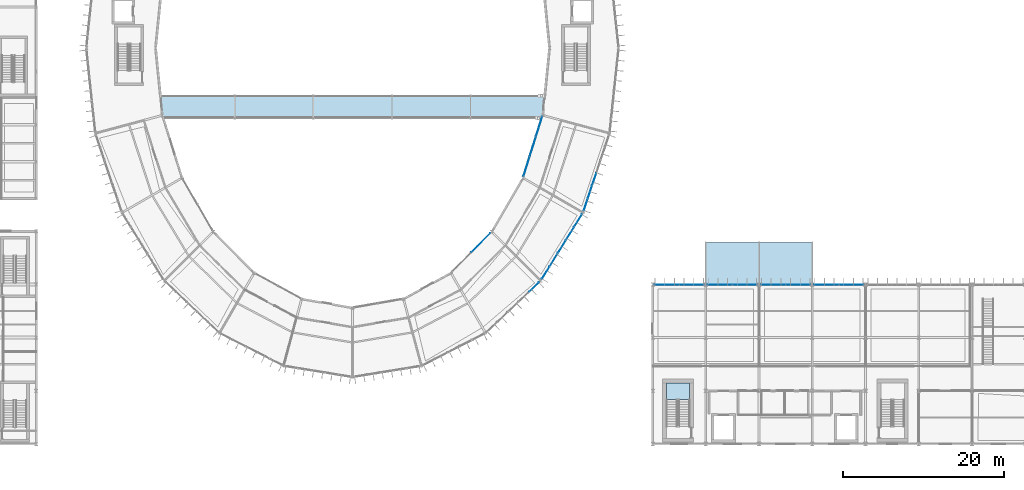
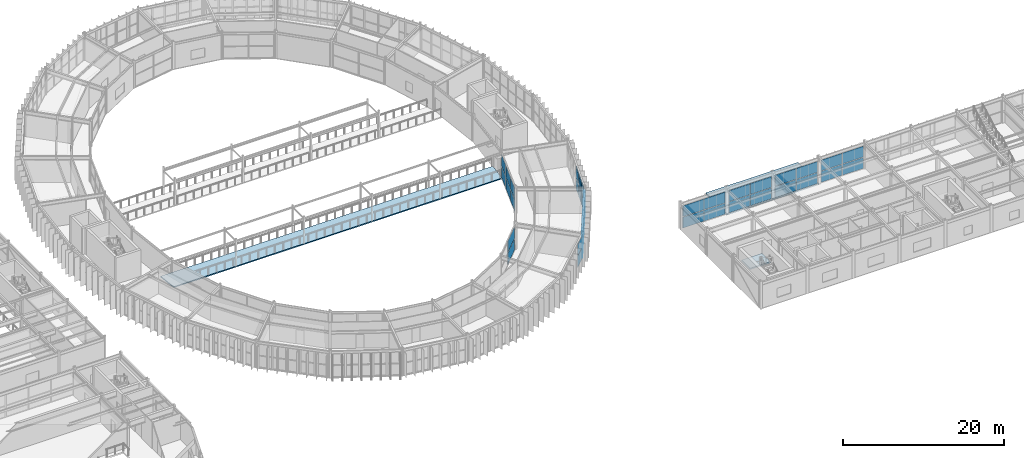
# One storey, part 102 of 148: 42 plates, 3 slabs, 10 elements without a shape of their own.
"""IFC4 building model written with IfcOpenShell, lengths in metres."""

import ifcopenshell
import ifcopenshell.guid

model = None  # the IFC model being written
_history = None  # IfcOwnerHistory: only IFC2X3 demands one
_inside = {}  # id of a spatial element -> (the spatial element, [elements in it])
_under = {}  # id of a project, library or spatial element -> (it, [spatial elements below it])
_declared = {}  # id of a project -> (the project, [libraries it declares])
_typed = {}  # id of a type object -> (the type object, [elements of that type])
_made_of = {}  # id of a material, layer set ... -> (it, [elements and type objects made of it])


def new_model(schema):
    """Start an empty IFC model of exactly this schema.

    Asked for "IFC4X3", IfcOpenShell would pick the latest addendum, in which some entities
    have other attributes; the version numbers below select the first issue.
    IFC2X3 requires an IfcOwnerHistory on every rooted entity: one is made here for all.
    """
    global model, _history
    if schema == "IFC4X3":
        model = ifcopenshell.file(schema_version=(4, 3, 0, 0))
    else:
        model = ifcopenshell.file(schema=schema)
    _inside.clear()
    _under.clear()
    _declared.clear()
    _typed.clear()
    _made_of.clear()
    _history = None
    if model.schema == "IFC2X3":
        org = make("IfcOrganization", Name="unknown")
        user = make(
            "IfcPersonAndOrganization",
            ThePerson=make("IfcPerson", FamilyName="unknown"),
            TheOrganization=org,
        )
        app = make(
            "IfcApplication",
            ApplicationDeveloper=org,
            Version="unknown",
            ApplicationFullName="unknown",
            ApplicationIdentifier="unknown",
        )
        _history = make(
            "IfcOwnerHistory",
            OwningUser=user,
            OwningApplication=app,
            ChangeAction="ADDED",
            CreationDate=0,
        )
    return model


def make(cls, **values):
    """One entity of the class cls with the attributes given. An attribute that is None is left unset."""
    return model.create_entity(
        cls, **{name: value for name, value in values.items() if value is not None}
    )


def rooted(cls, **values):
    """An entity with a GlobalId (a new one), such as an element, a storey or a relation."""
    return make(cls, GlobalId=ifcopenshell.guid.new(), OwnerHistory=_history, **values)


def si_unit(unit_type, name, prefix=None):
    """IfcSIUnit, for example si_unit("LENGTHUNIT", "METRE", prefix="MILLI")."""
    return make("IfcSIUnit", UnitType=unit_type, Prefix=prefix, Name=name)


def assignment(units):
    """IfcUnitAssignment: the units of a project."""
    return None if units is None else make("IfcUnitAssignment", Units=units)


def point(xyz):
    """IfcCartesianPoint."""
    return None if xyz is None else make("IfcCartesianPoint", Coordinates=xyz)


def direction(xyz):
    """IfcDirection."""
    return None if xyz is None else make("IfcDirection", DirectionRatios=xyz)


def frame(location, z_axis=None, x_axis=None):
    """IfcAxis2Placement3D, a coordinate frame: its origin and axes. An axis left out is left unset."""
    return make(
        "IfcAxis2Placement3D",
        Location=point(location),
        Axis=direction(z_axis),
        RefDirection=direction(x_axis),
    )


def frame_2d(location, x_axis=None):
    """IfcAxis2Placement2D, a coordinate frame in the plane: its origin and x axis."""
    return make(
        "IfcAxis2Placement2D", Location=point(location), RefDirection=direction(x_axis)
    )


def origin():
    """The frame at (0, 0, 0) with its axes left unset."""
    return frame((0.0, 0.0, 0.0))


def origin_2d():
    """The frame at (0, 0) in the plane with its x axis left unset."""
    return frame_2d((0.0, 0.0))


def place(relative_to, where):
    """IfcLocalPlacement: puts the frame where relative to a parent placement (None: the world)."""
    return make(
        "IfcLocalPlacement", PlacementRelTo=relative_to, RelativePlacement=where
    )


def context(
    kind, dimensions, precision=None, world=None, true_north=None, identifier=None
):
    """IfcGeometricRepresentationContext, for example the 3D "Model" context."""
    return make(
        "IfcGeometricRepresentationContext",
        ContextIdentifier=identifier,
        ContextType=kind,
        CoordinateSpaceDimension=dimensions,
        Precision=precision,
        WorldCoordinateSystem=world,
        TrueNorth=true_north,
    )


def subcontext(parent, identifier, kind, view, scale=None):
    """IfcGeometricRepresentationSubContext, for example "Body" below "Model"."""
    return make(
        "IfcGeometricRepresentationSubContext",
        ContextIdentifier=identifier,
        ContextType=kind,
        ParentContext=parent,
        TargetScale=scale,
        TargetView=view,
    )


def project(units=None, contexts=None):
    """IfcProject with its units and contexts."""
    return rooted(
        "IfcProject",
        Name="project",
        RepresentationContexts=contexts,
        UnitsInContext=assignment(units),
    )


def spatial(cls, under=None, at=None, **own):
    """A site, building, storey or space (cls), placed at a placement, below another one or the project."""
    s = rooted(cls, ObjectPlacement=at, **own)
    if under is not None:
        _under.setdefault(under.id(), (under, []))[1].append(s)
    return s


def polyline(points):
    """IfcPolyline through the points."""
    return make("IfcPolyline", Points=[point(p) for p in points])


def profile(cls, at=None, kind="AREA", **sizes):
    """A parametric profile (cls). Its sizes go by their IFC names, for example OverallWidth=200.0."""
    return make(cls, ProfileType=kind, Position=at, **sizes)


def rectangle(**sizes):
    """IfcRectangleProfileDef."""
    return profile("IfcRectangleProfileDef", **sizes)


def outline(outer, holes=None, kind="AREA"):
    """IfcArbitraryClosedProfileDef: a profile drawn as a closed curve; with holes, ...WithVoids."""
    if holes is None:
        return make("IfcArbitraryClosedProfileDef", ProfileType=kind, OuterCurve=outer)
    return make(
        "IfcArbitraryProfileDefWithVoids",
        ProfileType=kind,
        OuterCurve=outer,
        InnerCurves=holes,
    )


def extrude(swept, where, along, depth):
    """IfcExtrudedAreaSolid: the profile swept, set in the frame where, extruded along a direction by depth."""
    return make(
        "IfcExtrudedAreaSolid",
        SweptArea=swept,
        Position=where,
        ExtrudedDirection=direction(along),
        Depth=depth,
    )


def shape(context_of_items, identifier, shape_type, items):
    """IfcShapeRepresentation: the items that make up one representation, for example the "Body"."""
    return make(
        "IfcShapeRepresentation",
        ContextOfItems=context_of_items,
        RepresentationIdentifier=identifier,
        RepresentationType=shape_type,
        Items=items,
    )


def material(Name=None, Category=None):
    """IfcMaterial."""
    return make("IfcMaterial", Name=Name, Category=Category)


def layer(
    of_material, thickness, ventilated=None, Name=None, Category=None, Priority=None
):
    """IfcMaterialLayer: one layer of a wall or slab, of a material (None: an air gap)."""
    return make(
        "IfcMaterialLayer",
        Material=of_material,
        LayerThickness=thickness,
        IsVentilated=ventilated,
        Name=Name,
        Category=Category,
        Priority=Priority,
    )


def layer_set(layers, Name=None):
    """IfcMaterialLayerSet."""
    return make("IfcMaterialLayerSet", MaterialLayers=layers, LayerSetName=Name)


def made_of(thing, what):
    """Note that an element or type object is made of a material, layer set ...; save() writes the relation."""
    if what is not None:
        _made_of.setdefault(what.id(), (what, []))[1].append(thing)
    return thing


def type_object(cls, material=None, **own):
    """A type object (cls), such as IfcWallType, which elements share."""
    return made_of(rooted(cls, **own), material)


def element(
    cls,
    number,
    at=None,
    inside=None,
    cuts=None,
    type_object=None,
    material=None,
    context=None,
    identifier="Body",
    shape_type=None,
    held_by="IfcProductDefinitionShape",
    body=None,
    shapes=None,
    **own,
):
    """One element of the class cls, such as IfcWall. Its Tag is "e" and its number.

    at: its placement. inside: the storey or other place that contains it. cuts: it is an
    opening in that element (IfcRelVoidsElement). A single representation is given by context,
    identifier, shape_type and body (its items); several are given by shapes. held_by: the class
    of the entity that holds the representations. save() writes the other relations.
    """
    e = rooted(cls, Tag="e%d" % number, ObjectPlacement=at, **own)
    if body is not None:
        shapes = [shape(context, identifier, shape_type, body)]
    if shapes is not None:
        e.Representation = make(held_by, Representations=shapes)
    if inside is not None:
        _inside.setdefault(inside.id(), (inside, []))[1].append(e)
    if cuts is not None:
        rooted(
            "IfcRelVoidsElement", RelatingBuildingElement=cuts, RelatedOpeningElement=e
        )
    if type_object is not None:
        _typed.setdefault(type_object.id(), (type_object, []))[1].append(e)
    return made_of(e, material)


def aggregate(whole, parts):
    """IfcRelAggregates: a whole, such as a stair, and the parts it consists of."""
    return rooted("IfcRelAggregates", RelatingObject=whole, RelatedObjects=parts)


def save(model, path):
    """Write the relations noted so far, then the file.

    IfcRelAggregates (storeys below a building ...), IfcRelContainedInSpatialStructure (elements
    in a storey), IfcRelDefinesByType, IfcRelAssociatesMaterial and IfcRelDeclares: one each for
    every whole, place, type object, material and project.
    """
    for whole, parts in _under.values():
        aggregate(whole, parts)
    for where, things in _inside.values():
        rooted(
            "IfcRelContainedInSpatialStructure",
            RelatedElements=things,
            RelatingStructure=where,
        )
    for kind, things in _typed.values():
        rooted("IfcRelDefinesByType", RelatedObjects=things, RelatingType=kind)
    for what, things in _made_of.values():
        rooted("IfcRelAssociatesMaterial", RelatedObjects=things, RelatingMaterial=what)
    for by, libraries in _declared.values():
        rooted("IfcRelDeclares", RelatingContext=by, RelatedDefinitions=libraries)
    model.write(path)


model = new_model("IFC4")

# Units and contexts
model_context = context("Model", 3, precision=1e-05, world=origin(), true_north=direction((0.0, 1.0)))
body_context = subcontext(model_context, "Body", "Model", "MODEL_VIEW")
ifc_project = project(units=[si_unit("LENGTHUNIT", "METRE"), si_unit("AREAUNIT", "SQUARE_METRE"), si_unit("VOLUMEUNIT", "CUBIC_METRE"), si_unit("PLANEANGLEUNIT", "RADIAN"), si_unit("MASSUNIT", "GRAM", prefix="KILO")], contexts=[model_context])

# Site, building, storey
site_placement = place(None, origin())
site = spatial("IfcSite", under=ifc_project, at=site_placement, CompositionType="ELEMENT")
building_placement = place(site_placement, origin())
building = spatial("IfcBuilding", under=site, at=building_placement, Name="Karori Crest Natural Sciences Institute", CompositionType="ELEMENT")
storey_placement = place(building_placement, frame((0.0, 0.0, 4.89990234375)))
storey = spatial("IfcBuildingStorey", under=building, at=storey_placement, Name="L01", CompositionType="ELEMENT", Elevation=4.89990234375)

# Curtain wall, plates
ifc_material_1 = material(Name="Anodised architectural aluminium 6063-T6", Category="aluminium")
curtain_wall_type_1 = type_object("IfcCurtainWallType", Name="CWT-11", PredefinedType="NOTDEFINED", material=ifc_material_1)
curtain_wall_1_placement = place(storey_placement, origin())
curtain_wall_1 = element("IfcCurtainWall", 1, at=curtain_wall_1_placement, inside=storey, type_object=curtain_wall_type_1, Name="Curtain wall CW-0060", PredefinedType="NOTDEFINED")
ifc_material_2 = material(Name="Double low-E laminated glass", Category="glass")
ifc_layer_1 = layer(ifc_material_2, 0.02392578125, Name="Double low-E laminated glass")
ifc_layer_set_1 = layer_set([ifc_layer_1], Name="Double low-E laminated glass")
plate_type_1 = type_object("IfcPlateType", Name="CWP-01", PredefinedType="CURTAIN_PANEL", material=ifc_layer_set_1)
plate_1_placement = place(storey_placement, frame((82.2880859375, 25.748779296875, 0.06005859375), z_axis=(0.0, 0.0, 1.0), x_axis=(0.70265631089, 0.71152941525, 0.0)))
plate_1 = element("IfcPlate", 2, at=plate_1_placement, type_object=plate_type_1, Name="CW-0060 panel 2.1", PredefinedType="CURTAIN_PANEL", context=body_context, shape_type="SweptSolid", body=[
    extrude(rectangle(XDim=3.322998046875, YDim=0.02392578125, at=origin_2d()), origin(), (0.0, 0.0, 1.0), 1.735107421875),
])
plate_2_placement = place(storey_placement, frame((82.2880859375, 25.748779296875, 1.85498046875), z_axis=(0.0, 0.0, 1.0), x_axis=(0.70265631089, 0.71152941525, 0.0)))
plate_2 = element("IfcPlate", 3, at=plate_2_placement, type_object=plate_type_1, Name="CW-0060 panel 2.2", PredefinedType="CURTAIN_PANEL", context=body_context, shape_type="SweptSolid", body=[
    extrude(rectangle(XDim=3.322998046875, YDim=0.02392578125, at=origin_2d()), origin(), (0.0, 0.0, 1.0), 1.735107421875),
])
aggregate(curtain_wall_1, [plate_1, plate_2])

curtain_wall_type_2 = type_object("IfcCurtainWallType", Name="CWT-02", PredefinedType="NOTDEFINED", material=ifc_material_1)
curtain_wall_2_placement = place(storey_placement, origin())
curtain_wall_2 = element("IfcCurtainWall", 4, at=curtain_wall_2_placement, inside=storey, type_object=curtain_wall_type_2, Name="Curtain wall CW-0061", PredefinedType="NOTDEFINED")
plate_3_placement = place(storey_placement, frame((94.37109375, 28.520751953125, 0.06005859375), z_axis=(0.0, 0.0, 1.0), x_axis=(-0.527327518853, -0.849662102168, 0.0)))
plate_3 = element("IfcPlate", 5, at=plate_3_placement, type_object=plate_type_1, Name="CW-0061 panel 1.1", PredefinedType="CURTAIN_PANEL", context=body_context, shape_type="SweptSolid", body=[
    extrude(rectangle(XDim=1.80322265625, YDim=0.02392578125, at=origin_2d()), origin(), (0.0, 0.0, 1.0), 1.722412109375),
])
plate_4_placement = place(storey_placement, frame((94.37109375, 28.520751953125, 1.8427734375), z_axis=(0.0, 0.0, 1.0), x_axis=(-0.527327518853, -0.849662102168, 0.0)))
plate_4 = element("IfcPlate", 6, at=plate_4_placement, type_object=plate_type_1, Name="CW-0061 panel 1.2", PredefinedType="CURTAIN_PANEL", context=body_context, shape_type="SweptSolid", body=[
    extrude(rectangle(XDim=1.80322265625, YDim=0.02392578125, at=origin_2d()), origin(), (0.0, 0.0, 1.0), 1.722412109375),
])
plate_5_placement = place(storey_placement, frame((93.370849609375, 26.908935546875, 0.06005859375), z_axis=(0.0, 0.0, 1.0), x_axis=(-0.527327518853, -0.849662102168, 0.0)))
plate_5 = element("IfcPlate", 7, at=plate_5_placement, type_object=plate_type_1, Name="CW-0061 panel 2.1", PredefinedType="CURTAIN_PANEL", context=body_context, shape_type="SweptSolid", body=[
    extrude(rectangle(XDim=1.8408203125, YDim=0.02392578125, at=origin_2d()), origin(), (0.0, 0.0, 1.0), 1.722412109375),
])
plate_6_placement = place(storey_placement, frame((93.370849609375, 26.908935546875, 1.8427734375), z_axis=(0.0, 0.0, 1.0), x_axis=(-0.527327518853, -0.849662102168, 0.0)))
plate_6 = element("IfcPlate", 8, at=plate_6_placement, type_object=plate_type_1, Name="CW-0061 panel 2.2", PredefinedType="CURTAIN_PANEL", context=body_context, shape_type="SweptSolid", body=[
    extrude(rectangle(XDim=1.8408203125, YDim=0.02392578125, at=origin_2d()), origin(), (0.0, 0.0, 1.0), 1.722412109375),
])
plate_7_placement = place(storey_placement, frame((92.360595703125, 25.28125, 0.06005859375), z_axis=(0.0, 0.0, 1.0), x_axis=(-0.527327518853, -0.849662102168, 0.0)))
plate_7 = element("IfcPlate", 9, at=plate_7_placement, type_object=plate_type_1, Name="CW-0061 panel 3.1", PredefinedType="CURTAIN_PANEL", context=body_context, shape_type="SweptSolid", body=[
    extrude(rectangle(XDim=1.8408203125, YDim=0.02392578125, at=origin_2d()), origin(), (0.0, 0.0, 1.0), 1.722412109375),
])
plate_8_placement = place(storey_placement, frame((92.360595703125, 25.28125, 1.8427734375), z_axis=(0.0, 0.0, 1.0), x_axis=(-0.527327518853, -0.849662102168, 0.0)))
plate_8 = element("IfcPlate", 10, at=plate_8_placement, type_object=plate_type_1, Name="CW-0061 panel 3.2", PredefinedType="CURTAIN_PANEL", context=body_context, shape_type="SweptSolid", body=[
    extrude(rectangle(XDim=1.8408203125, YDim=0.02392578125, at=origin_2d()), origin(), (0.0, 0.0, 1.0), 1.722412109375),
])
plate_9_placement = place(storey_placement, frame((91.350341796875, 23.6533203125, 0.06005859375), z_axis=(0.0, 0.0, 1.0), x_axis=(-0.527327518853, -0.849662102168, 0.0)))
plate_9 = element("IfcPlate", 11, at=plate_9_placement, type_object=plate_type_1, Name="CW-0061 panel 4.1", PredefinedType="CURTAIN_PANEL", context=body_context, shape_type="SweptSolid", body=[
    extrude(rectangle(XDim=1.8408203125, YDim=0.02392578125, at=origin_2d()), origin(), (0.0, 0.0, 1.0), 1.722412109375),
])
plate_10_placement = place(storey_placement, frame((91.350341796875, 23.6533203125, 1.8427734375), z_axis=(0.0, 0.0, 1.0), x_axis=(-0.527327518853, -0.849662102168, 0.0)))
plate_10 = element("IfcPlate", 12, at=plate_10_placement, type_object=plate_type_1, Name="CW-0061 panel 4.2", PredefinedType="CURTAIN_PANEL", context=body_context, shape_type="SweptSolid", body=[
    extrude(rectangle(XDim=1.8408203125, YDim=0.02392578125, at=origin_2d()), origin(), (0.0, 0.0, 1.0), 1.722412109375),
])
plate_11_placement = place(storey_placement, frame((90.349853515625, 22.04150390625, 0.06005859375), z_axis=(0.0, 0.0, 1.0), x_axis=(-0.527327518853, -0.849662102168, 0.0)))
plate_11 = element("IfcPlate", 13, at=plate_11_placement, type_object=plate_type_1, Name="CW-0061 panel 5.1", PredefinedType="CURTAIN_PANEL", context=body_context, shape_type="SweptSolid", body=[
    extrude(rectangle(XDim=1.80322265625, YDim=0.02392578125, at=origin_2d()), origin(), (0.0, 0.0, 1.0), 1.722412109375),
])
plate_12_placement = place(storey_placement, frame((90.349853515625, 22.04150390625, 1.8427734375), z_axis=(0.0, 0.0, 1.0), x_axis=(-0.527327518853, -0.849662102168, 0.0)))
plate_12 = element("IfcPlate", 14, at=plate_12_placement, type_object=plate_type_1, Name="CW-0061 panel 5.2", PredefinedType="CURTAIN_PANEL", context=body_context, shape_type="SweptSolid", body=[
    extrude(rectangle(XDim=1.80322265625, YDim=0.02392578125, at=origin_2d()), origin(), (0.0, 0.0, 1.0), 1.722412109375),
])
aggregate(curtain_wall_2, [plate_3, plate_4, plate_5, plate_6, plate_7, plate_8, plate_9, plate_10, plate_11, plate_12])

curtain_wall_type_3 = type_object("IfcCurtainWallType", Name="CWT-13", PredefinedType="NOTDEFINED", material=ifc_material_1)
curtain_wall_3_placement = place(storey_placement, origin())
curtain_wall_3 = element("IfcCurtainWall", 15, at=curtain_wall_3_placement, inside=storey, type_object=curtain_wall_type_3, Name="Curtain wall CW-0063", PredefinedType="NOTDEFINED")
plate_13_placement = place(storey_placement, frame((87.97509765625, 35.215087890625, 0.06005859375), z_axis=(0.0, 0.0, 1.0), x_axis=(0.2994765864, 0.954103649609, 0.0)))
plate_13 = element("IfcPlate", 16, at=plate_13_placement, type_object=plate_type_1, Name="CW-0063 panel 1.1", PredefinedType="CURTAIN_PANEL", context=body_context, shape_type="SweptSolid", body=[
    extrude(rectangle(XDim=2.517822265625, YDim=0.02392578125, at=origin_2d()), origin(), (0.0, 0.0, 1.0), 1.735107421875),
])
plate_14_placement = place(storey_placement, frame((87.97509765625, 35.215087890625, 1.85498046875), z_axis=(0.0, 0.0, 1.0), x_axis=(0.2994765864, 0.954103649609, 0.0)))
plate_14 = element("IfcPlate", 17, at=plate_14_placement, type_object=plate_type_1, Name="CW-0063 panel 1.2", PredefinedType="CURTAIN_PANEL", context=body_context, shape_type="SweptSolid", body=[
    extrude(rectangle(XDim=2.517822265625, YDim=0.02392578125, at=origin_2d()), origin(), (0.0, 0.0, 1.0), 1.735107421875),
])
plate_15_placement = place(storey_placement, frame((88.75341796875, 37.69482421875, 0.06005859375), z_axis=(0.0, 0.0, 1.0), x_axis=(0.2994765864, 0.954103649609, 0.0)))
plate_15 = element("IfcPlate", 18, at=plate_15_placement, type_object=plate_type_1, Name="CW-0063 panel 2.1", PredefinedType="CURTAIN_PANEL", context=body_context, shape_type="SweptSolid", body=[
    extrude(rectangle(XDim=2.55029296875, YDim=0.02392578125, at=origin_2d()), origin(), (0.0, 0.0, 1.0), 1.735107421875),
])
plate_16_placement = place(storey_placement, frame((88.75341796875, 37.69482421875, 1.85498046875), z_axis=(0.0, 0.0, 1.0), x_axis=(0.2994765864, 0.954103649609, 0.0)))
plate_16 = element("IfcPlate", 19, at=plate_16_placement, type_object=plate_type_1, Name="CW-0063 panel 2.2", PredefinedType="CURTAIN_PANEL", context=body_context, shape_type="SweptSolid", body=[
    extrude(rectangle(XDim=2.55029296875, YDim=0.02392578125, at=origin_2d()), origin(), (0.0, 0.0, 1.0), 1.735107421875),
])
plate_17_placement = place(storey_placement, frame((89.53173828125, 40.174560546875, 0.06005859375), z_axis=(0.0, 0.0, 1.0), x_axis=(0.2994765864, 0.954103649609, 0.0)))
plate_17 = element("IfcPlate", 20, at=plate_17_placement, type_object=plate_type_1, Name="CW-0063 panel 3.1", PredefinedType="CURTAIN_PANEL", context=body_context, shape_type="SweptSolid", body=[
    extrude(rectangle(XDim=2.517822265625, YDim=0.02392578125, at=origin_2d()), origin(), (0.0, 0.0, 1.0), 1.735107421875),
])
plate_18_placement = place(storey_placement, frame((89.53173828125, 40.174560546875, 1.85498046875), z_axis=(0.0, 0.0, 1.0), x_axis=(0.2994765864, 0.954103649609, 0.0)))
plate_18 = element("IfcPlate", 21, at=plate_18_placement, type_object=plate_type_1, Name="CW-0063 panel 3.2", PredefinedType="CURTAIN_PANEL", context=body_context, shape_type="SweptSolid", body=[
    extrude(rectangle(XDim=2.517822265625, YDim=0.02392578125, at=origin_2d()), origin(), (0.0, 0.0, 1.0), 1.735107421875),
])
aggregate(curtain_wall_3, [plate_13, plate_14, plate_15, plate_16, plate_17, plate_18])

curtain_wall_type_4 = type_object("IfcCurtainWallType", Name="CWT-20", PredefinedType="NOTDEFINED", material=ifc_material_1)
curtain_wall_4_placement = place(storey_placement, origin())
curtain_wall_4 = element("IfcCurtainWall", 22, at=curtain_wall_4_placement, inside=storey, type_object=curtain_wall_type_4, Name="Curtain wall CW-0304", PredefinedType="NOTDEFINED")
plate_19_placement = place(storey_placement, frame((105.365234375, 20.5400390625, 0.06005859375), z_axis=(0.0, 0.0, 1.0), x_axis=(1.0, 0.0, 0.0)))
plate_19 = element("IfcPlate", 23, at=plate_19_placement, type_object=plate_type_1, Name="CW-0304 panel 1.1", PredefinedType="CURTAIN_PANEL", context=body_context, shape_type="SweptSolid", body=[
    extrude(rectangle(XDim=3.00439453125, YDim=0.02392578125, at=origin_2d()), origin(), (0.0, 0.0, 1.0), 1.66259765625),
])
plate_20_placement = place(storey_placement, frame((105.365234375, 20.5400390625, 1.782470703125), z_axis=(0.0, 0.0, 1.0), x_axis=(1.0, 0.0, 0.0)))
plate_20 = element("IfcPlate", 24, at=plate_20_placement, type_object=plate_type_1, Name="CW-0304 panel 1.2", PredefinedType="CURTAIN_PANEL", context=body_context, shape_type="SweptSolid", body=[
    extrude(rectangle(XDim=3.00439453125, YDim=0.02392578125, at=origin_2d()), origin(), (0.0, 0.0, 1.0), 1.66259765625),
])
plate_21_placement = place(storey_placement, frame((108.434814453125, 20.5400390625, 0.06005859375), z_axis=(0.0, 0.0, 1.0), x_axis=(1.0, 0.0, 0.0)))
plate_21 = element("IfcPlate", 25, at=plate_21_placement, type_object=plate_type_1, Name="CW-0304 panel 2.1", PredefinedType="CURTAIN_PANEL", context=body_context, shape_type="SweptSolid", body=[
    extrude(rectangle(XDim=3.00439453125, YDim=0.02392578125, at=origin_2d()), origin(), (0.0, 0.0, 1.0), 1.66259765625),
])
plate_22_placement = place(storey_placement, frame((108.434814453125, 20.5400390625, 1.782470703125), z_axis=(0.0, 0.0, 1.0), x_axis=(1.0, 0.0, 0.0)))
plate_22 = element("IfcPlate", 26, at=plate_22_placement, type_object=plate_type_1, Name="CW-0304 panel 2.2", PredefinedType="CURTAIN_PANEL", context=body_context, shape_type="SweptSolid", body=[
    extrude(rectangle(XDim=3.00439453125, YDim=0.02392578125, at=origin_2d()), origin(), (0.0, 0.0, 1.0), 1.66259765625),
])
aggregate(curtain_wall_4, [plate_19, plate_20, plate_21, plate_22])

curtain_wall_5_placement = place(storey_placement, origin())
curtain_wall_5 = element("IfcCurtainWall", 27, at=curtain_wall_5_placement, inside=storey, type_object=curtain_wall_type_4, Name="Curtain wall CW-0305", PredefinedType="NOTDEFINED")
plate_23_placement = place(storey_placement, frame((111.96533203125, 20.5400390625, 0.06005859375), z_axis=(0.0, 0.0, 1.0), x_axis=(1.0, 0.0, 0.0)))
plate_23 = element("IfcPlate", 28, at=plate_23_placement, type_object=plate_type_1, Name="CW-0305 panel 1.1", PredefinedType="CURTAIN_PANEL", context=body_context, shape_type="SweptSolid", body=[
    extrude(rectangle(XDim=3.00439453125, YDim=0.02392578125, at=origin_2d()), origin(), (0.0, 0.0, 1.0), 1.66259765625),
])
plate_24_placement = place(storey_placement, frame((111.96533203125, 20.5400390625, 1.782470703125), z_axis=(0.0, 0.0, 1.0), x_axis=(1.0, 0.0, 0.0)))
plate_24 = element("IfcPlate", 29, at=plate_24_placement, type_object=plate_type_1, Name="CW-0305 panel 1.2", PredefinedType="CURTAIN_PANEL", context=body_context, shape_type="SweptSolid", body=[
    extrude(rectangle(XDim=3.00439453125, YDim=0.02392578125, at=origin_2d()), origin(), (0.0, 0.0, 1.0), 1.66259765625),
])
plate_25_placement = place(storey_placement, frame((115.03466796875, 20.5400390625, 0.06005859375), z_axis=(0.0, 0.0, 1.0), x_axis=(1.0, 0.0, 0.0)))
plate_25 = element("IfcPlate", 30, at=plate_25_placement, type_object=plate_type_1, Name="CW-0305 panel 2.1", PredefinedType="CURTAIN_PANEL", context=body_context, shape_type="SweptSolid", body=[
    extrude(rectangle(XDim=3.00439453125, YDim=0.02392578125, at=origin_2d()), origin(), (0.0, 0.0, 1.0), 1.66259765625),
])
plate_26_placement = place(storey_placement, frame((115.03466796875, 20.5400390625, 1.782470703125), z_axis=(0.0, 0.0, 1.0), x_axis=(1.0, 0.0, 0.0)))
plate_26 = element("IfcPlate", 31, at=plate_26_placement, type_object=plate_type_1, Name="CW-0305 panel 2.2", PredefinedType="CURTAIN_PANEL", context=body_context, shape_type="SweptSolid", body=[
    extrude(rectangle(XDim=3.00439453125, YDim=0.02392578125, at=origin_2d()), origin(), (0.0, 0.0, 1.0), 1.66259765625),
])
aggregate(curtain_wall_5, [plate_23, plate_24, plate_25, plate_26])

curtain_wall_6_placement = place(storey_placement, origin())
curtain_wall_6 = element("IfcCurtainWall", 32, at=curtain_wall_6_placement, inside=storey, type_object=curtain_wall_type_4, Name="Curtain wall CW-0306", PredefinedType="NOTDEFINED")
plate_27_placement = place(storey_placement, frame((118.565185546875, 20.5400390625, 0.06005859375), z_axis=(0.0, 0.0, 1.0), x_axis=(1.0, 0.0, 0.0)))
plate_27 = element("IfcPlate", 33, at=plate_27_placement, type_object=plate_type_1, Name="CW-0306 panel 1.1", PredefinedType="CURTAIN_PANEL", context=body_context, shape_type="SweptSolid", body=[
    extrude(rectangle(XDim=3.00439453125, YDim=0.02392578125, at=origin_2d()), origin(), (0.0, 0.0, 1.0), 1.66259765625),
])
plate_28_placement = place(storey_placement, frame((118.565185546875, 20.5400390625, 1.782470703125), z_axis=(0.0, 0.0, 1.0), x_axis=(1.0, 0.0, 0.0)))
plate_28 = element("IfcPlate", 34, at=plate_28_placement, type_object=plate_type_1, Name="CW-0306 panel 1.2", PredefinedType="CURTAIN_PANEL", context=body_context, shape_type="SweptSolid", body=[
    extrude(rectangle(XDim=3.00439453125, YDim=0.02392578125, at=origin_2d()), origin(), (0.0, 0.0, 1.0), 1.66259765625),
])
plate_29_placement = place(storey_placement, frame((121.634765625, 20.5400390625, 0.06005859375), z_axis=(0.0, 0.0, 1.0), x_axis=(1.0, 0.0, 0.0)))
plate_29 = element("IfcPlate", 35, at=plate_29_placement, type_object=plate_type_1, Name="CW-0306 panel 2.1", PredefinedType="CURTAIN_PANEL", context=body_context, shape_type="SweptSolid", body=[
    extrude(rectangle(XDim=3.00439453125, YDim=0.02392578125, at=origin_2d()), origin(), (0.0, 0.0, 1.0), 1.66259765625),
])
plate_30_placement = place(storey_placement, frame((121.634765625, 20.5400390625, 1.782470703125), z_axis=(0.0, 0.0, 1.0), x_axis=(1.0, 0.0, 0.0)))
plate_30 = element("IfcPlate", 36, at=plate_30_placement, type_object=plate_type_1, Name="CW-0306 panel 2.2", PredefinedType="CURTAIN_PANEL", context=body_context, shape_type="SweptSolid", body=[
    extrude(rectangle(XDim=3.00439453125, YDim=0.02392578125, at=origin_2d()), origin(), (0.0, 0.0, 1.0), 1.66259765625),
])
aggregate(curtain_wall_6, [plate_27, plate_28, plate_29, plate_30])

curtain_wall_7_placement = place(storey_placement, origin())
curtain_wall_7 = element("IfcCurtainWall", 37, at=curtain_wall_7_placement, inside=storey, type_object=curtain_wall_type_4, Name="Curtain wall CW-0307", PredefinedType="NOTDEFINED")
plate_31_placement = place(storey_placement, frame((125.165283203125, 20.5400390625, 0.06005859375), z_axis=(0.0, 0.0, 1.0), x_axis=(1.0, 0.0, 0.0)))
plate_31 = element("IfcPlate", 38, at=plate_31_placement, type_object=plate_type_1, Name="CW-0307 panel 1.1", PredefinedType="CURTAIN_PANEL", context=body_context, shape_type="SweptSolid", body=[
    extrude(rectangle(XDim=3.00439453125, YDim=0.02392578125, at=origin_2d()), origin(), (0.0, 0.0, 1.0), 1.66259765625),
])
plate_32_placement = place(storey_placement, frame((125.165283203125, 20.5400390625, 1.782470703125), z_axis=(0.0, 0.0, 1.0), x_axis=(1.0, 0.0, 0.0)))
plate_32 = element("IfcPlate", 39, at=plate_32_placement, type_object=plate_type_1, Name="CW-0307 panel 1.2", PredefinedType="CURTAIN_PANEL", context=body_context, shape_type="SweptSolid", body=[
    extrude(rectangle(XDim=3.00439453125, YDim=0.02392578125, at=origin_2d()), origin(), (0.0, 0.0, 1.0), 1.66259765625),
])
plate_33_placement = place(storey_placement, frame((128.23486328125, 20.5400390625, 0.06005859375), z_axis=(0.0, 0.0, 1.0), x_axis=(1.0, 0.0, 0.0)))
plate_33 = element("IfcPlate", 40, at=plate_33_placement, type_object=plate_type_1, Name="CW-0307 panel 2.1", PredefinedType="CURTAIN_PANEL", context=body_context, shape_type="SweptSolid", body=[
    extrude(rectangle(XDim=3.00439453125, YDim=0.02392578125, at=origin_2d()), origin(), (0.0, 0.0, 1.0), 1.66259765625),
])
plate_34_placement = place(storey_placement, frame((128.23486328125, 20.5400390625, 1.782470703125), z_axis=(0.0, 0.0, 1.0), x_axis=(1.0, 0.0, 0.0)))
plate_34 = element("IfcPlate", 41, at=plate_34_placement, type_object=plate_type_1, Name="CW-0307 panel 2.2", PredefinedType="CURTAIN_PANEL", context=body_context, shape_type="SweptSolid", body=[
    extrude(rectangle(XDim=3.00439453125, YDim=0.02392578125, at=origin_2d()), origin(), (0.0, 0.0, 1.0), 1.66259765625),
])
aggregate(curtain_wall_7, [plate_31, plate_32, plate_33, plate_34])

curtain_wall_type_5 = type_object("IfcCurtainWallType", Name="CWT-03", PredefinedType="NOTDEFINED", material=ifc_material_1)
curtain_wall_8_placement = place(storey_placement, origin())
curtain_wall_8 = element("IfcCurtainWall", 42, at=curtain_wall_8_placement, inside=storey, type_object=curtain_wall_type_5, Name="Curtain wall CW-0062", PredefinedType="NOTDEFINED")
ifc_layer_2 = layer(ifc_material_2, 0.033935546875, Name="Double low-E laminated glass")
ifc_layer_set_2 = layer_set([ifc_layer_2], Name="Double low-E laminated glass")
plate_type_2 = type_object("IfcPlateType", Name="CWP-02", PredefinedType="CURTAIN_PANEL", material=ifc_layer_set_2)
plate_35_placement = place(storey_placement, frame((96.36376953125, 33.634033203125, 0.06494140625), z_axis=(0.0, 0.0, 1.0), x_axis=(-0.317685267462, -0.948196219586, 0.0)))
plate_35 = element("IfcPlate", 43, at=plate_35_placement, type_object=plate_type_2, Name="CW-0062 panel 4.1", PredefinedType="CURTAIN_PANEL", context=body_context, shape_type="SweptSolid", body=[
    extrude(rectangle(XDim=1.5986328125, YDim=0.033935546875, at=origin_2d()), origin(), (0.0, 0.0, 1.0), 1.715087890625),
])
plate_36_placement = place(storey_placement, frame((96.36376953125, 33.634033203125, 1.84521484375), z_axis=(0.0, 0.0, 1.0), x_axis=(-0.317685267462, -0.948196219586, 0.0)))
plate_36 = element("IfcPlate", 44, at=plate_36_placement, type_object=plate_type_2, Name="CW-0062 panel 4.2", PredefinedType="CURTAIN_PANEL", context=body_context, shape_type="SweptSolid", body=[
    extrude(rectangle(XDim=1.5986328125, YDim=0.033935546875, at=origin_2d()), origin(), (0.0, 0.0, 1.0), 1.715087890625),
])
plate_37_placement = place(storey_placement, frame((95.83203125, 32.047119140625, 0.06494140625), z_axis=(0.0, 0.0, 1.0), x_axis=(-0.317685267462, -0.948196219586, 0.0)))
plate_37 = element("IfcPlate", 45, at=plate_37_placement, type_object=plate_type_2, Name="CW-0062 panel 5.1", PredefinedType="CURTAIN_PANEL", context=body_context, shape_type="SweptSolid", body=[
    extrude(rectangle(XDim=1.5986328125, YDim=0.033935546875, at=origin_2d()), origin(), (0.0, 0.0, 1.0), 1.715087890625),
])
plate_38_placement = place(storey_placement, frame((95.83203125, 32.047119140625, 1.84521484375), z_axis=(0.0, 0.0, 1.0), x_axis=(-0.317685267462, -0.948196219586, 0.0)))
plate_38 = element("IfcPlate", 46, at=plate_38_placement, type_object=plate_type_2, Name="CW-0062 panel 5.2", PredefinedType="CURTAIN_PANEL", context=body_context, shape_type="SweptSolid", body=[
    extrude(rectangle(XDim=1.5986328125, YDim=0.033935546875, at=origin_2d()), origin(), (0.0, 0.0, 1.0), 1.715087890625),
])
plate_39_placement = place(storey_placement, frame((95.306396484375, 30.47802734375, 0.06494140625), z_axis=(0.0, 0.0, 1.0), x_axis=(-0.317685267462, -0.948196219586, 0.0)))
plate_39 = element("IfcPlate", 47, at=plate_39_placement, type_object=plate_type_2, Name="CW-0062 panel 6.1", PredefinedType="CURTAIN_PANEL", context=body_context, shape_type="SweptSolid", body=[
    extrude(rectangle(XDim=1.561279296875, YDim=0.033935546875, at=origin_2d()), origin(), (0.0, 0.0, 1.0), 1.715087890625),
])
plate_40_placement = place(storey_placement, frame((95.306396484375, 30.47802734375, 1.84521484375), z_axis=(0.0, 0.0, 1.0), x_axis=(-0.317685267462, -0.948196219586, 0.0)))
plate_40 = element("IfcPlate", 48, at=plate_40_placement, type_object=plate_type_2, Name="CW-0062 panel 6.2", PredefinedType="CURTAIN_PANEL", context=body_context, shape_type="SweptSolid", body=[
    extrude(rectangle(XDim=1.561279296875, YDim=0.033935546875, at=origin_2d()), origin(), (0.0, 0.0, 1.0), 1.715087890625),
])
aggregate(curtain_wall_8, [plate_35, plate_36, plate_37, plate_38, plate_39, plate_40])

curtain_wall_type_6 = type_object("IfcCurtainWallType", Name="CWT-01", PredefinedType="NOTDEFINED", material=ifc_material_1)
curtain_wall_9_placement = place(storey_placement, origin())
curtain_wall_9 = element("IfcCurtainWall", 49, at=curtain_wall_9_placement, inside=storey, type_object=curtain_wall_type_6, Name="Curtain wall CW-0059", PredefinedType="NOTDEFINED")
ifc_layer_3 = layer(ifc_material_2, 0.0439453125, Name="Double low-E laminated glass")
ifc_layer_set_3 = layer_set([ifc_layer_3], Name="Double low-E laminated glass")
plate_type_3 = type_object("IfcPlateType", Name="CWP-03", PredefinedType="CURTAIN_PANEL", material=ifc_layer_set_3)
plate_41_placement = place(storey_placement, frame((88.910400390625, 20.268310546875, 0.06494140625), z_axis=(0.0, 0.0, 1.0), x_axis=(-0.725472753897, -0.688250886925, 0.0)))
plate_41 = element("IfcPlate", 50, at=plate_41_placement, type_object=plate_type_3, Name="CW-0059 panel 1.1", PredefinedType="CURTAIN_PANEL", context=body_context, shape_type="SweptSolid", body=[
    extrude(rectangle(XDim=1.697265625, YDim=0.0439453125, at=origin_2d()), origin(), (0.0, 0.0, 1.0), 1.715087890625),
])
plate_42_placement = place(storey_placement, frame((88.910400390625, 20.268310546875, 1.84521484375), z_axis=(0.0, 0.0, 1.0), x_axis=(-0.725472753897, -0.688250886925, 0.0)))
plate_42 = element("IfcPlate", 51, at=plate_42_placement, type_object=plate_type_3, Name="CW-0059 panel 1.2", PredefinedType="CURTAIN_PANEL", context=body_context, shape_type="SweptSolid", body=[
    extrude(rectangle(XDim=1.697265625, YDim=0.0439453125, at=origin_2d()), origin(), (0.0, 0.0, 1.0), 1.715087890625),
])
aggregate(curtain_wall_9, [plate_41, plate_42])

# Slab
ifc_material_3 = material(Name="Concrete 40 MPa", Category="concrete")
ifc_layer_4 = layer(ifc_material_3, 0.159912109375, Name="Concrete 40 MPa")
ifc_layer_set_4 = layer_set([ifc_layer_4], Name="Concrete 40 MPa")
slab_type_1 = type_object("IfcSlabType", Name="SLT-10", PredefinedType="FLOOR", material=ifc_layer_set_4)
slab_1_placement = place(storey_placement, frame((0.0, 0.0, -0.159912109375)))
element("IfcSlab", 52, at=slab_1_placement, inside=storey, type_object=slab_type_1, Name="V1-BR Slab SL-0106", PredefinedType="FLOOR", context=body_context, shape_type="SweptSolid", body=[
    extrude(outline(polyline([(42.5966796875, 44.0), (42.83935546875, 41.567626953125), (42.95458984375, 41.199951171875), (89.84521484375, 41.199951171875), (89.960693359375, 41.567626953125), (90.203369140625, 44.0), (42.5966796875, 44.0)])), origin(), (0.0, 0.0, 1.0), 0.159912109375),
])

# Stair, slab
stair_type = type_object("IfcStairType", Name="STT-01", PredefinedType="HALF_TURN_STAIR", material=ifc_material_3)
stair_placement = place(storey_placement, origin())
stair = element("IfcStair", 53, at=stair_placement, inside=storey, type_object=stair_type, Name="Protected stair ST-03-L01", PredefinedType="HALF_TURN_STAIR")
ifc_layer_5 = layer(ifc_material_3, 0.2099609375, Name="Concrete 40 MPa")
ifc_layer_set_5 = layer_set([ifc_layer_5], Name="Concrete 40 MPa")
slab_type_2 = type_object("IfcSlabType", Name="SLT-11", PredefinedType="LANDING", material=ifc_layer_set_5)
slab_2_placement = place(storey_placement, frame((0.0, 0.0, 1.89013671875)))
slab_2 = element("IfcSlab", 54, at=slab_2_placement, type_object=slab_type_2, Name="ST-03-L01 landing 1", PredefinedType="LANDING", context=body_context, shape_type="SweptSolid", body=[
    extrude(outline(polyline([(108.199951171875, 6.300048828125), (108.199951171875, 8.39990234375), (105.300048828125, 8.39990234375), (105.300048828125, 6.300048828125), (108.199951171875, 6.300048828125)])), origin(), (0.0, 0.0, 1.0), 0.2099609375),
])
aggregate(stair, [slab_2])

# Slab
ifc_layer_6 = layer(ifc_material_3, 0.25, Name="Concrete 40 MPa")
ifc_layer_set_6 = layer_set([ifc_layer_6], Name="Concrete 40 MPa")
slab_type_3 = type_object("IfcSlabType", Name="SLT-13", PredefinedType="ROOF", material=ifc_layer_set_6)
slab_3_placement = place(storey_placement, frame((0.0, 0.0, -0.25)))
element("IfcSlab", 55, at=slab_3_placement, inside=storey, type_object=slab_type_3, Name="V5-CAN Slab SL-0207", PredefinedType="ROOF", context=body_context, shape_type="SweptSolid", body=[
    extrude(outline(polyline([(110.199951171875, 20.60009765625), (123.39990234375, 20.60009765625), (123.39990234375, 25.800048828125), (110.199951171875, 25.800048828125), (110.199951171875, 20.60009765625)])), origin(), (0.0, 0.0, 1.0), 0.25),
])

save(model, "model.ifc")
